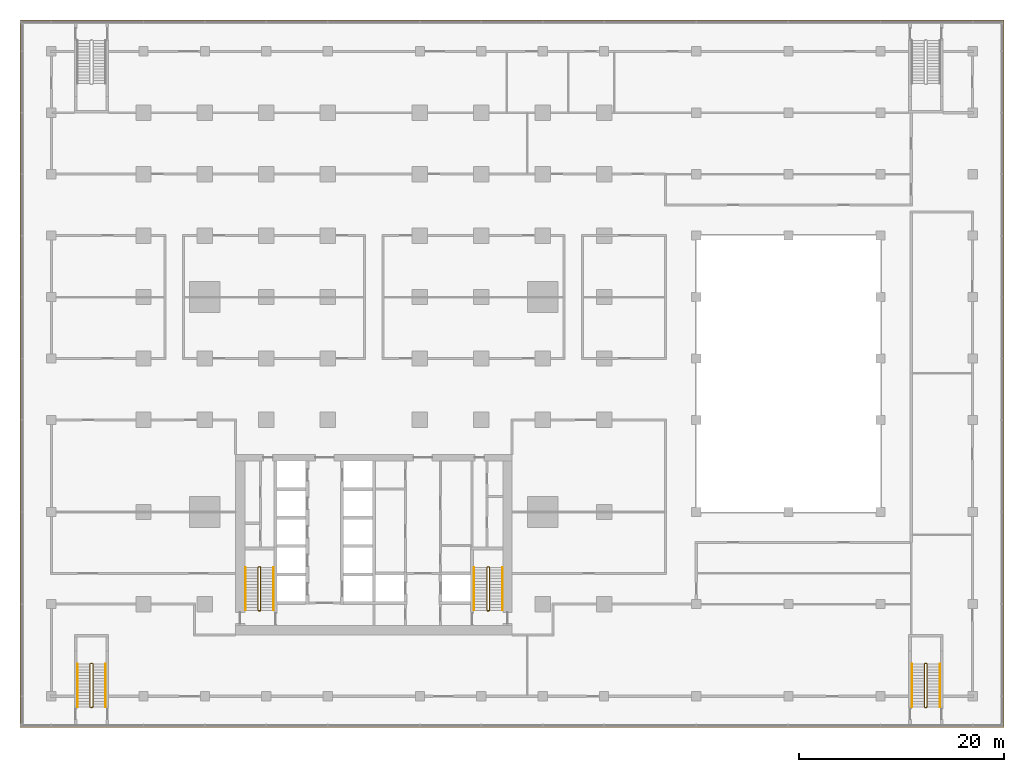
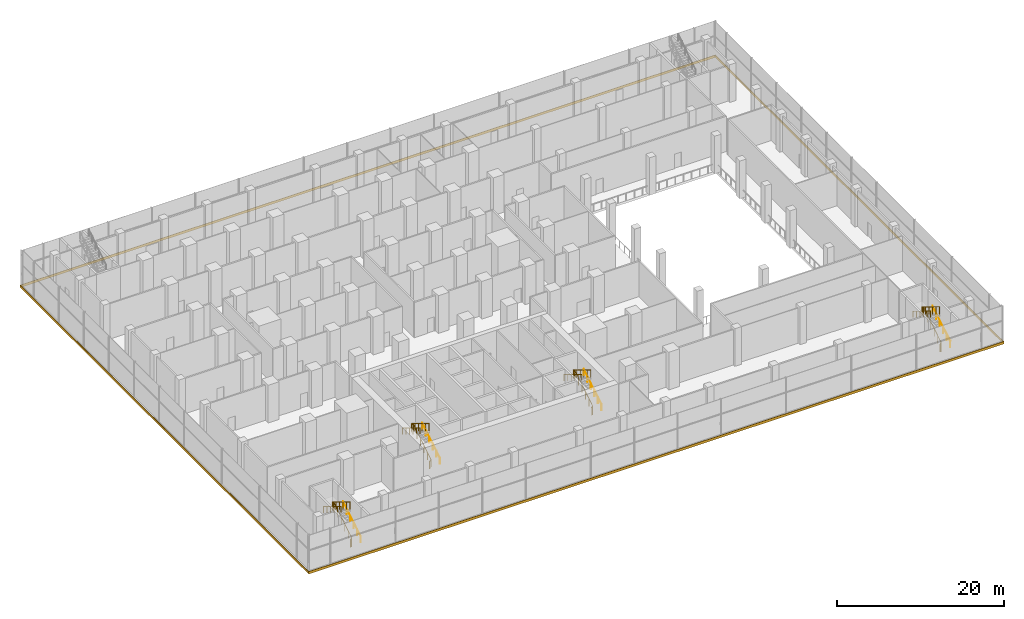
# One storey, part 21 of 22: 12 railings, 1 covering.
"""IFC4 building model written with IfcOpenShell, lengths in metres."""

from ifc_helpers import new_model, si_unit, direction, frame, origin, origin_2d, place, context, subcontext, project, spatial, polyline, circle, outline, extrude, material, layer, layer_set, type_object, element, save


model = new_model("IFC4")

# Units and contexts
model_context = context("Model", 3, precision=1e-05, world=origin(), true_north=direction((0.0, 1.0)))
body_context = subcontext(model_context, "Body", "Model", "MODEL_VIEW")
ifc_project = project(units=[si_unit("LENGTHUNIT", "METRE"), si_unit("AREAUNIT", "SQUARE_METRE"), si_unit("VOLUMEUNIT", "CUBIC_METRE"), si_unit("PLANEANGLEUNIT", "RADIAN"), si_unit("MASSUNIT", "GRAM", prefix="KILO")], contexts=[model_context])

# Site, building, storey
site_placement = place(None, origin())
site = spatial("IfcSite", under=ifc_project, at=site_placement, CompositionType="ELEMENT")
building_placement = place(site_placement, origin())
building = spatial("IfcBuilding", under=site, at=building_placement, Name="Finial Court Residences", CompositionType="ELEMENT")
storey_placement = place(building_placement, frame((0.0, 0.0, 8.0)))
storey = spatial("IfcBuildingStorey", under=building, at=storey_placement, Name="L01", CompositionType="ELEMENT", Elevation=8.0)

# Covering
ifc_material_1 = material(Name="Pale limestone", Category="masonry")
ifc_layer = layer(ifc_material_1, 0.06005859375)
ifc_layer_set = layer_set([ifc_layer], Name="Pale limestone slab-edge band 60")
covering_type = type_object("IfcCoveringType", Name="Pale limestone slab-edge band 60", PredefinedType="CLADDING", material=ifc_layer_set)
covering_placement = place(storey_placement, frame((0.0, 0.0, -0.35009765625)))
element("IfcCovering", 1, at=covering_placement, inside=storey, type_object=covering_type, Name="E-L01-BAND1", PredefinedType="CLADDING", context=body_context, shape_type="SweptSolid", body=[
    extrude(outline(polyline([(-34.56005859375, 34.56005859375), (61.56005859375, 34.56005859375), (61.56005859375, -34.56005859375), (-34.56005859375, -34.56005859375), (-34.56005859375, 34.56005859375)]), holes=[polyline([(61.5, -34.5), (61.5, 34.5), (-34.5, 34.5), (-34.5, -34.5), (61.5, -34.5)])]), origin(), (0.0, 0.0, 1.0), 0.35009765625),
])

# Railings
ifc_material_2 = material(Name="Stainless steel railing", Category="steel")
railing_type_1 = type_object("IfcRailingType", Name="Stair guard 1100", PredefinedType="GUARDRAIL", material=ifc_material_2)
railing_1_placement = place(storey_placement, frame((-11.10009765625, -23.14990234375, 0.0)))
element("IfcRailing", 2, at=railing_1_placement, inside=storey, type_object=railing_type_1, Name="L01 ST-1 stair guard 1", PredefinedType="GUARDRAIL", context=body_context, shape_type="SweptSolid", body=[
    extrude(circle(Radius=0.02392578125, at=origin_2d()), frame((0.0, 0.0, 1.076171875), z_axis=(-1.0, 0.0, 0.0), x_axis=(0.0, -1.0, 0.0)), (0.0, 0.0, 1.0), 0.14990234375),
    extrude(circle(Radius=0.02392578125, at=origin_2d()), frame((-0.14990234375, 0.0, 1.076171875), z_axis=(0.745163704225, 0.185608541712, 0.640531438064), x_axis=(-0.241699205484, 0.970351222016, 0.0)), (0.0, 0.0, 1.0), 0.268310546875),
    extrude(circle(Radius=0.02392578125, at=origin_2d()), frame((0.050048828125, 0.0498046875, 1.248046875), z_axis=(0.0, 0.852256472501, 0.523124177495), x_axis=(-1.0, 0.0, 0.0)), (0.0, 0.0, 1.0), 4.92822265625),
    extrude(circle(Radius=0.02392578125, at=origin_2d()), frame((0.050048828125, 4.25, 3.826171875), z_axis=(-0.708833529934, 0.705375805398, 0.0), x_axis=(-0.705375805398, -0.708833529934, 0.0)), (0.0, 0.0, 1.0), 0.070556640625),
    extrude(circle(Radius=0.02392578125, at=origin_2d()), frame((0.0, 4.2998046875, 3.826171875), z_axis=(-1.0, 0.0, 0.0), x_axis=(0.0, -1.0, 0.0)), (0.0, 0.0, 1.0), 0.14990234375),
    extrude(circle(Radius=0.02392578125, at=origin_2d()), frame((-0.14990234375, 4.2998046875, 3.826171875), z_axis=(-0.26935076646, -0.268036860282, 0.924989949209), x_axis=(0.705375805398, -0.708833529934, 0.0)), (0.0, 0.0, 1.0), 0.185791015625),
    extrude(circle(Radius=0.02392578125, at=origin_2d()), frame((-0.199951171875, 4.25, 3.998046875), z_axis=(0.0, -0.852256472501, 0.523124177495), x_axis=(1.0, 0.0, 0.0)), (0.0, 0.0, 1.0), 4.92822265625),
    extrude(circle(Radius=0.02099609375, at=origin_2d()), origin(), (0.0, 0.0, 1.0), 1.052001953125),
    extrude(circle(Radius=0.02099609375, at=origin_2d()), frame((-0.14990234375, 0.0, 0.0)), (0.0, 0.0, 1.0), 1.052001953125),
    extrude(circle(Radius=0.02099609375, at=origin_2d()), frame((0.050048828125, 0.0498046875, 0.171875)), (0.0, 0.0, 1.0), 1.052001953125),
    extrude(circle(Radius=0.02099609375, at=origin_2d()), frame((0.050048828125, 0.889892578125, 0.6875)), (0.0, 0.0, 1.0), 1.052001953125),
    extrude(circle(Radius=0.02099609375, at=origin_2d()), frame((0.050048828125, 1.72998046875, 1.203125)), (0.0, 0.0, 1.0), 1.052001953125),
    extrude(circle(Radius=0.02099609375, at=origin_2d()), frame((0.050048828125, 2.56982421875, 1.71875)), (0.0, 0.0, 1.0), 1.052001953125),
    extrude(circle(Radius=0.02099609375, at=origin_2d()), frame((0.050048828125, 3.409912109375, 2.234375)), (0.0, 0.0, 1.0), 1.052001953125),
    extrude(circle(Radius=0.02099609375, at=origin_2d()), frame((0.050048828125, 4.25, 2.75)), (0.0, 0.0, 1.0), 1.052001953125),
    extrude(circle(Radius=0.02099609375, at=origin_2d()), frame((0.0, 4.2998046875, 2.75)), (0.0, 0.0, 1.0), 1.052001953125),
    extrude(circle(Radius=0.02099609375, at=origin_2d()), frame((-0.14990234375, 4.2998046875, 2.75)), (0.0, 0.0, 1.0), 1.052001953125),
    extrude(circle(Radius=0.02099609375, at=origin_2d()), frame((-0.199951171875, 4.25, 2.921875)), (0.0, 0.0, 1.0), 1.052001953125),
    extrude(circle(Radius=0.02099609375, at=origin_2d()), frame((-0.199951171875, 3.409912109375, 3.4375)), (0.0, 0.0, 1.0), 1.052001953125),
    extrude(circle(Radius=0.02099609375, at=origin_2d()), frame((-0.199951171875, 2.56982421875, 3.953125)), (0.0, 0.0, 1.0), 1.052001953125),
    extrude(circle(Radius=0.02099609375, at=origin_2d()), frame((-0.199951171875, 1.72998046875, 4.46875)), (0.0, 0.0, 1.0), 1.052001953125),
    extrude(circle(Radius=0.02099609375, at=origin_2d()), frame((-0.199951171875, 0.889892578125, 4.984375)), (0.0, 0.0, 1.0), 1.052001953125),
    extrude(circle(Radius=0.02099609375, at=origin_2d()), frame((-0.199951171875, 0.0498046875, 5.5)), (0.0, 0.0, 1.0), 1.052001953125),
])
railing_2_placement = place(storey_placement, frame((11.25, -23.14990234375, 0.0)))
element("IfcRailing", 3, at=railing_2_placement, inside=storey, type_object=railing_type_1, Name="L01 ST-2 stair guard 1", PredefinedType="GUARDRAIL", context=body_context, shape_type="SweptSolid", body=[
    extrude(circle(Radius=0.02392578125, at=origin_2d()), frame((0.0, 0.0, 1.076171875), z_axis=(-1.0, 0.0, 0.0), x_axis=(0.0, -1.0, 0.0)), (0.0, 0.0, 1.0), 0.14990234375),
    extrude(circle(Radius=0.02392578125, at=origin_2d()), frame((-0.14990234375, 0.0, 1.076171875), z_axis=(0.745163704225, 0.185608541712, 0.640531438064), x_axis=(-0.241699205484, 0.970351222016, 0.0)), (0.0, 0.0, 1.0), 0.268310546875),
    extrude(circle(Radius=0.02392578125, at=origin_2d()), frame((0.050048828125, 0.0498046875, 1.248046875), z_axis=(0.0, 0.852256472501, 0.523124177495), x_axis=(-1.0, 0.0, 0.0)), (0.0, 0.0, 1.0), 4.92822265625),
    extrude(circle(Radius=0.02392578125, at=origin_2d()), frame((0.050048828125, 4.25, 3.826171875), z_axis=(-0.708833529934, 0.705375805398, 0.0), x_axis=(-0.705375805398, -0.708833529934, 0.0)), (0.0, 0.0, 1.0), 0.070556640625),
    extrude(circle(Radius=0.02392578125, at=origin_2d()), frame((0.0, 4.2998046875, 3.826171875), z_axis=(-1.0, 0.0, 0.0), x_axis=(0.0, -1.0, 0.0)), (0.0, 0.0, 1.0), 0.14990234375),
    extrude(circle(Radius=0.02392578125, at=origin_2d()), frame((-0.14990234375, 4.2998046875, 3.826171875), z_axis=(-0.26935076646, -0.268036860282, 0.924989949209), x_axis=(0.705375805398, -0.708833529934, 0.0)), (0.0, 0.0, 1.0), 0.185791015625),
    extrude(circle(Radius=0.02392578125, at=origin_2d()), frame((-0.199951171875, 4.25, 3.998046875), z_axis=(0.0, -0.852256472501, 0.523124177495), x_axis=(1.0, 0.0, 0.0)), (0.0, 0.0, 1.0), 4.92822265625),
    extrude(circle(Radius=0.02099609375, at=origin_2d()), origin(), (0.0, 0.0, 1.0), 1.052001953125),
    extrude(circle(Radius=0.02099609375, at=origin_2d()), frame((-0.14990234375, 0.0, 0.0)), (0.0, 0.0, 1.0), 1.052001953125),
    extrude(circle(Radius=0.02099609375, at=origin_2d()), frame((0.050048828125, 0.0498046875, 0.171875)), (0.0, 0.0, 1.0), 1.052001953125),
    extrude(circle(Radius=0.02099609375, at=origin_2d()), frame((0.050048828125, 0.889892578125, 0.6875)), (0.0, 0.0, 1.0), 1.052001953125),
    extrude(circle(Radius=0.02099609375, at=origin_2d()), frame((0.050048828125, 1.72998046875, 1.203125)), (0.0, 0.0, 1.0), 1.052001953125),
    extrude(circle(Radius=0.02099609375, at=origin_2d()), frame((0.050048828125, 2.56982421875, 1.71875)), (0.0, 0.0, 1.0), 1.052001953125),
    extrude(circle(Radius=0.02099609375, at=origin_2d()), frame((0.050048828125, 3.409912109375, 2.234375)), (0.0, 0.0, 1.0), 1.052001953125),
    extrude(circle(Radius=0.02099609375, at=origin_2d()), frame((0.050048828125, 4.25, 2.75)), (0.0, 0.0, 1.0), 1.052001953125),
    extrude(circle(Radius=0.02099609375, at=origin_2d()), frame((0.0, 4.2998046875, 2.75)), (0.0, 0.0, 1.0), 1.052001953125),
    extrude(circle(Radius=0.02099609375, at=origin_2d()), frame((-0.14990234375, 4.2998046875, 2.75)), (0.0, 0.0, 1.0), 1.052001953125),
    extrude(circle(Radius=0.02099609375, at=origin_2d()), frame((-0.199951171875, 4.25, 2.921875)), (0.0, 0.0, 1.0), 1.052001953125),
    extrude(circle(Radius=0.02099609375, at=origin_2d()), frame((-0.199951171875, 3.409912109375, 3.4375)), (0.0, 0.0, 1.0), 1.052001953125),
    extrude(circle(Radius=0.02099609375, at=origin_2d()), frame((-0.199951171875, 2.56982421875, 3.953125)), (0.0, 0.0, 1.0), 1.052001953125),
    extrude(circle(Radius=0.02099609375, at=origin_2d()), frame((-0.199951171875, 1.72998046875, 4.46875)), (0.0, 0.0, 1.0), 1.052001953125),
    extrude(circle(Radius=0.02099609375, at=origin_2d()), frame((-0.199951171875, 0.889892578125, 4.984375)), (0.0, 0.0, 1.0), 1.052001953125),
    extrude(circle(Radius=0.02099609375, at=origin_2d()), frame((-0.199951171875, 0.0498046875, 5.5)), (0.0, 0.0, 1.0), 1.052001953125),
])
railing_3_placement = place(storey_placement, frame((54.0, -32.60009765625, 0.0)))
element("IfcRailing", 4, at=railing_3_placement, inside=storey, type_object=railing_type_1, Name="L01 ST-3 stair guard 1", PredefinedType="GUARDRAIL", context=body_context, shape_type="SweptSolid", body=[
    extrude(circle(Radius=0.02392578125, at=origin_2d()), frame((0.0, 0.0, 1.076171875), z_axis=(-1.0, 0.0, 0.0), x_axis=(0.0, -1.0, 0.0)), (0.0, 0.0, 1.0), 0.14990234375),
    extrude(circle(Radius=0.02392578125, at=origin_2d()), frame((-0.14990234375, 0.0, 1.076171875), z_axis=(0.745037588186, 0.186486819998, 0.640423030626), x_axis=(-0.242814311512, 0.970072785993, 0.0)), (0.0, 0.0, 1.0), 0.268310546875),
    extrude(circle(Radius=0.02392578125, at=origin_2d()), frame((0.050048828125, 0.050048828125, 1.248046875), z_axis=(0.0, 0.852242915053, 0.523146264196), x_axis=(-1.0, 0.0, 0.0)), (0.0, 0.0, 1.0), 4.92822265625),
    extrude(circle(Radius=0.02392578125, at=origin_2d()), frame((0.050048828125, 4.25, 3.826171875), z_axis=(-0.707106781187, 0.707106781187, 0.0), x_axis=(-0.707106781187, -0.707106781187, 0.0)), (0.0, 0.0, 1.0), 0.07080078125),
    extrude(circle(Radius=0.02392578125, at=origin_2d()), frame((0.0, 4.300048828125, 3.826171875), z_axis=(-1.0, 0.0, 0.0), x_axis=(0.0, -1.0, 0.0)), (0.0, 0.0, 1.0), 0.14990234375),
    extrude(circle(Radius=0.02392578125, at=origin_2d()), frame((-0.14990234375, 4.300048828125, 3.826171875), z_axis=(-0.269255725606, -0.269255725606, 0.92466356501), x_axis=(0.707106781187, -0.707106781187, 0.0)), (0.0, 0.0, 1.0), 0.185791015625),
    extrude(circle(Radius=0.02392578125, at=origin_2d()), frame((-0.199951171875, 4.25, 3.998046875), z_axis=(0.0, -0.852242915053, 0.523146264196), x_axis=(1.0, 0.0, 0.0)), (0.0, 0.0, 1.0), 4.92822265625),
    extrude(circle(Radius=0.02099609375, at=origin_2d()), origin(), (0.0, 0.0, 1.0), 1.052001953125),
    extrude(circle(Radius=0.02099609375, at=origin_2d()), frame((-0.14990234375, 0.0, 0.0)), (0.0, 0.0, 1.0), 1.052001953125),
    extrude(circle(Radius=0.02099609375, at=origin_2d()), frame((0.050048828125, 0.050048828125, 0.171875)), (0.0, 0.0, 1.0), 1.052001953125),
    extrude(circle(Radius=0.02099609375, at=origin_2d()), frame((0.050048828125, 0.89013671875, 0.6875)), (0.0, 0.0, 1.0), 1.052001953125),
    extrude(circle(Radius=0.02099609375, at=origin_2d()), frame((0.050048828125, 1.72998046875, 1.203125)), (0.0, 0.0, 1.0), 1.052001953125),
    extrude(circle(Radius=0.02099609375, at=origin_2d()), frame((0.050048828125, 2.570068359375, 1.71875)), (0.0, 0.0, 1.0), 1.052001953125),
    extrude(circle(Radius=0.02099609375, at=origin_2d()), frame((0.050048828125, 3.409912109375, 2.234375)), (0.0, 0.0, 1.0), 1.052001953125),
    extrude(circle(Radius=0.02099609375, at=origin_2d()), frame((0.050048828125, 4.25, 2.75)), (0.0, 0.0, 1.0), 1.052001953125),
    extrude(circle(Radius=0.02099609375, at=origin_2d()), frame((0.0, 4.300048828125, 2.75)), (0.0, 0.0, 1.0), 1.052001953125),
    extrude(circle(Radius=0.02099609375, at=origin_2d()), frame((-0.14990234375, 4.300048828125, 2.75)), (0.0, 0.0, 1.0), 1.052001953125),
    extrude(circle(Radius=0.02099609375, at=origin_2d()), frame((-0.199951171875, 4.25, 2.921875)), (0.0, 0.0, 1.0), 1.052001953125),
    extrude(circle(Radius=0.02099609375, at=origin_2d()), frame((-0.199951171875, 3.409912109375, 3.4375)), (0.0, 0.0, 1.0), 1.052001953125),
    extrude(circle(Radius=0.02099609375, at=origin_2d()), frame((-0.199951171875, 2.570068359375, 3.953125)), (0.0, 0.0, 1.0), 1.052001953125),
    extrude(circle(Radius=0.02099609375, at=origin_2d()), frame((-0.199951171875, 1.72998046875, 4.46875)), (0.0, 0.0, 1.0), 1.052001953125),
    extrude(circle(Radius=0.02099609375, at=origin_2d()), frame((-0.199951171875, 0.89013671875, 4.984375)), (0.0, 0.0, 1.0), 1.052001953125),
    extrude(circle(Radius=0.02099609375, at=origin_2d()), frame((-0.199951171875, 0.050048828125, 5.5)), (0.0, 0.0, 1.0), 1.052001953125),
])
railing_4_placement = place(storey_placement, frame((-27.5, -32.60009765625, 0.0)))
element("IfcRailing", 5, at=railing_4_placement, inside=storey, type_object=railing_type_1, Name="L01 ST-4 stair guard 1", PredefinedType="GUARDRAIL", context=body_context, shape_type="SweptSolid", body=[
    extrude(circle(Radius=0.02392578125, at=origin_2d()), frame((0.0, 0.0, 1.076171875), z_axis=(-1.0, 0.0, 0.0), x_axis=(0.0, -1.0, 0.0)), (0.0, 0.0, 1.0), 0.14990234375),
    extrude(circle(Radius=0.02392578125, at=origin_2d()), frame((-0.14990234375, 0.0, 1.076171875), z_axis=(0.745037588186, 0.186486819998, 0.640423030626), x_axis=(-0.242814311512, 0.970072785993, 0.0)), (0.0, 0.0, 1.0), 0.268310546875),
    extrude(circle(Radius=0.02392578125, at=origin_2d()), frame((0.050048828125, 0.050048828125, 1.248046875), z_axis=(0.0, 0.852242915053, 0.523146264196), x_axis=(-1.0, 0.0, 0.0)), (0.0, 0.0, 1.0), 4.92822265625),
    extrude(circle(Radius=0.02392578125, at=origin_2d()), frame((0.050048828125, 4.25, 3.826171875), z_axis=(-0.707106781187, 0.707106781187, 0.0), x_axis=(-0.707106781187, -0.707106781187, 0.0)), (0.0, 0.0, 1.0), 0.07080078125),
    extrude(circle(Radius=0.02392578125, at=origin_2d()), frame((0.0, 4.300048828125, 3.826171875), z_axis=(-1.0, 0.0, 0.0), x_axis=(0.0, -1.0, 0.0)), (0.0, 0.0, 1.0), 0.14990234375),
    extrude(circle(Radius=0.02392578125, at=origin_2d()), frame((-0.14990234375, 4.300048828125, 3.826171875), z_axis=(-0.269255725606, -0.269255725606, 0.92466356501), x_axis=(0.707106781187, -0.707106781187, 0.0)), (0.0, 0.0, 1.0), 0.185791015625),
    extrude(circle(Radius=0.02392578125, at=origin_2d()), frame((-0.199951171875, 4.25, 3.998046875), z_axis=(0.0, -0.852242915053, 0.523146264196), x_axis=(1.0, 0.0, 0.0)), (0.0, 0.0, 1.0), 4.92822265625),
    extrude(circle(Radius=0.02099609375, at=origin_2d()), origin(), (0.0, 0.0, 1.0), 1.052001953125),
    extrude(circle(Radius=0.02099609375, at=origin_2d()), frame((-0.14990234375, 0.0, 0.0)), (0.0, 0.0, 1.0), 1.052001953125),
    extrude(circle(Radius=0.02099609375, at=origin_2d()), frame((0.050048828125, 0.050048828125, 0.171875)), (0.0, 0.0, 1.0), 1.052001953125),
    extrude(circle(Radius=0.02099609375, at=origin_2d()), frame((0.050048828125, 0.89013671875, 0.6875)), (0.0, 0.0, 1.0), 1.052001953125),
    extrude(circle(Radius=0.02099609375, at=origin_2d()), frame((0.050048828125, 1.72998046875, 1.203125)), (0.0, 0.0, 1.0), 1.052001953125),
    extrude(circle(Radius=0.02099609375, at=origin_2d()), frame((0.050048828125, 2.570068359375, 1.71875)), (0.0, 0.0, 1.0), 1.052001953125),
    extrude(circle(Radius=0.02099609375, at=origin_2d()), frame((0.050048828125, 3.409912109375, 2.234375)), (0.0, 0.0, 1.0), 1.052001953125),
    extrude(circle(Radius=0.02099609375, at=origin_2d()), frame((0.050048828125, 4.25, 2.75)), (0.0, 0.0, 1.0), 1.052001953125),
    extrude(circle(Radius=0.02099609375, at=origin_2d()), frame((0.0, 4.300048828125, 2.75)), (0.0, 0.0, 1.0), 1.052001953125),
    extrude(circle(Radius=0.02099609375, at=origin_2d()), frame((-0.14990234375, 4.300048828125, 2.75)), (0.0, 0.0, 1.0), 1.052001953125),
    extrude(circle(Radius=0.02099609375, at=origin_2d()), frame((-0.199951171875, 4.25, 2.921875)), (0.0, 0.0, 1.0), 1.052001953125),
    extrude(circle(Radius=0.02099609375, at=origin_2d()), frame((-0.199951171875, 3.409912109375, 3.4375)), (0.0, 0.0, 1.0), 1.052001953125),
    extrude(circle(Radius=0.02099609375, at=origin_2d()), frame((-0.199951171875, 2.570068359375, 3.953125)), (0.0, 0.0, 1.0), 1.052001953125),
    extrude(circle(Radius=0.02099609375, at=origin_2d()), frame((-0.199951171875, 1.72998046875, 4.46875)), (0.0, 0.0, 1.0), 1.052001953125),
    extrude(circle(Radius=0.02099609375, at=origin_2d()), frame((-0.199951171875, 0.89013671875, 4.984375)), (0.0, 0.0, 1.0), 1.052001953125),
    extrude(circle(Radius=0.02099609375, at=origin_2d()), frame((-0.199951171875, 0.050048828125, 5.5)), (0.0, 0.0, 1.0), 1.052001953125),
])
railing_type_2 = type_object("IfcRailingType", Name="Stair handrail 900", PredefinedType="HANDRAIL", material=ifc_material_2)
railing_5_placement = place(storey_placement, frame((-9.800048828125, -23.10009765625, 0.171875)))
element("IfcRailing", 6, at=railing_5_placement, inside=storey, type_object=railing_type_2, Name="L01 ST-1 stair handrail 1", PredefinedType="HANDRAIL", context=body_context, shape_type="SweptSolid", body=[
    extrude(circle(Radius=0.02392578125, at=origin_2d()), frame((0.0, 0.0, 0.8759765625), z_axis=(0.0, 0.852256472501, 0.523124177495), x_axis=(-1.0, 0.0, 0.0)), (0.0, 0.0, 1.0), 4.92822265625),
    extrude(circle(Radius=0.02099609375, at=origin_2d()), origin(), (0.0, 0.0, 1.0), 0.851806640625),
    extrude(circle(Radius=0.02099609375, at=origin_2d()), frame((0.0, 0.840087890625, 0.515625)), (0.0, 0.0, 1.0), 0.851806640625),
    extrude(circle(Radius=0.02099609375, at=origin_2d()), frame((0.0, 1.68017578125, 1.03125)), (0.0, 0.0, 1.0), 0.851806640625),
    extrude(circle(Radius=0.02099609375, at=origin_2d()), frame((0.0, 2.52001953125, 1.546875)), (0.0, 0.0, 1.0), 0.851806640625),
    extrude(circle(Radius=0.02099609375, at=origin_2d()), frame((0.0, 3.360107421875, 2.0625)), (0.0, 0.0, 1.0), 0.851806640625),
    extrude(circle(Radius=0.02099609375, at=origin_2d()), frame((0.0, 4.2001953125, 2.578125)), (0.0, 0.0, 1.0), 0.851806640625),
])
railing_6_placement = place(storey_placement, frame((-12.550048828125, -18.89990234375, 2.921875)))
element("IfcRailing", 7, at=railing_6_placement, inside=storey, type_object=railing_type_2, Name="L01 ST-1 stair handrail 2", PredefinedType="HANDRAIL", context=body_context, shape_type="SweptSolid", body=[
    extrude(circle(Radius=0.02392578125, at=origin_2d()), frame((0.0, 0.0, 0.8759765625), z_axis=(0.0, -0.852256472501, 0.523124177495), x_axis=(1.0, 0.0, 0.0)), (0.0, 0.0, 1.0), 4.92822265625),
    extrude(circle(Radius=0.02099609375, at=origin_2d()), origin(), (0.0, 0.0, 1.0), 0.851806640625),
    extrude(circle(Radius=0.02099609375, at=origin_2d()), frame((0.0, -0.840087890625, 0.515625)), (0.0, 0.0, 1.0), 0.851806640625),
    extrude(circle(Radius=0.02099609375, at=origin_2d()), frame((0.0, -1.68017578125, 1.03125)), (0.0, 0.0, 1.0), 0.851806640625),
    extrude(circle(Radius=0.02099609375, at=origin_2d()), frame((0.0, -2.52001953125, 1.546875)), (0.0, 0.0, 1.0), 0.851806640625),
    extrude(circle(Radius=0.02099609375, at=origin_2d()), frame((0.0, -3.360107421875, 2.0625)), (0.0, 0.0, 1.0), 0.851806640625),
    extrude(circle(Radius=0.02099609375, at=origin_2d()), frame((0.0, -4.2001953125, 2.578125)), (0.0, 0.0, 1.0), 0.851806640625),
])
railing_7_placement = place(storey_placement, frame((12.550048828125, -23.10009765625, 0.171875)))
element("IfcRailing", 8, at=railing_7_placement, inside=storey, type_object=railing_type_2, Name="L01 ST-2 stair handrail 1", PredefinedType="HANDRAIL", context=body_context, shape_type="SweptSolid", body=[
    extrude(circle(Radius=0.02392578125, at=origin_2d()), frame((0.0, 0.0, 0.8759765625), z_axis=(0.0, 0.852256472501, 0.523124177495), x_axis=(-1.0, 0.0, 0.0)), (0.0, 0.0, 1.0), 4.92822265625),
    extrude(circle(Radius=0.02099609375, at=origin_2d()), origin(), (0.0, 0.0, 1.0), 0.851806640625),
    extrude(circle(Radius=0.02099609375, at=origin_2d()), frame((0.0, 0.840087890625, 0.515625)), (0.0, 0.0, 1.0), 0.851806640625),
    extrude(circle(Radius=0.02099609375, at=origin_2d()), frame((0.0, 1.68017578125, 1.03125)), (0.0, 0.0, 1.0), 0.851806640625),
    extrude(circle(Radius=0.02099609375, at=origin_2d()), frame((0.0, 2.52001953125, 1.546875)), (0.0, 0.0, 1.0), 0.851806640625),
    extrude(circle(Radius=0.02099609375, at=origin_2d()), frame((0.0, 3.360107421875, 2.0625)), (0.0, 0.0, 1.0), 0.851806640625),
    extrude(circle(Radius=0.02099609375, at=origin_2d()), frame((0.0, 4.2001953125, 2.578125)), (0.0, 0.0, 1.0), 0.851806640625),
])
railing_8_placement = place(storey_placement, frame((9.800048828125, -18.89990234375, 2.921875)))
element("IfcRailing", 9, at=railing_8_placement, inside=storey, type_object=railing_type_2, Name="L01 ST-2 stair handrail 2", PredefinedType="HANDRAIL", context=body_context, shape_type="SweptSolid", body=[
    extrude(circle(Radius=0.02392578125, at=origin_2d()), frame((0.0, 0.0, 0.8759765625), z_axis=(0.0, -0.852256472501, 0.523124177495), x_axis=(1.0, 0.0, 0.0)), (0.0, 0.0, 1.0), 4.92822265625),
    extrude(circle(Radius=0.02099609375, at=origin_2d()), origin(), (0.0, 0.0, 1.0), 0.851806640625),
    extrude(circle(Radius=0.02099609375, at=origin_2d()), frame((0.0, -0.840087890625, 0.515625)), (0.0, 0.0, 1.0), 0.851806640625),
    extrude(circle(Radius=0.02099609375, at=origin_2d()), frame((0.0, -1.68017578125, 1.03125)), (0.0, 0.0, 1.0), 0.851806640625),
    extrude(circle(Radius=0.02099609375, at=origin_2d()), frame((0.0, -2.52001953125, 1.546875)), (0.0, 0.0, 1.0), 0.851806640625),
    extrude(circle(Radius=0.02099609375, at=origin_2d()), frame((0.0, -3.360107421875, 2.0625)), (0.0, 0.0, 1.0), 0.851806640625),
    extrude(circle(Radius=0.02099609375, at=origin_2d()), frame((0.0, -4.2001953125, 2.578125)), (0.0, 0.0, 1.0), 0.851806640625),
])
railing_9_placement = place(storey_placement, frame((55.300048828125, -32.550048828125, 0.171875)))
element("IfcRailing", 10, at=railing_9_placement, inside=storey, type_object=railing_type_2, Name="L01 ST-3 stair handrail 1", PredefinedType="HANDRAIL", context=body_context, shape_type="SweptSolid", body=[
    extrude(circle(Radius=0.02392578125, at=origin_2d()), frame((0.0, 0.0, 0.8759765625), z_axis=(0.0, 0.852242915053, 0.523146264196), x_axis=(-1.0, 0.0, 0.0)), (0.0, 0.0, 1.0), 4.92822265625),
    extrude(circle(Radius=0.02099609375, at=origin_2d()), origin(), (0.0, 0.0, 1.0), 0.851806640625),
    extrude(circle(Radius=0.02099609375, at=origin_2d()), frame((0.0, 0.840087890625, 0.515625)), (0.0, 0.0, 1.0), 0.851806640625),
    extrude(circle(Radius=0.02099609375, at=origin_2d()), frame((0.0, 1.679931640625, 1.03125)), (0.0, 0.0, 1.0), 0.851806640625),
    extrude(circle(Radius=0.02099609375, at=origin_2d()), frame((0.0, 2.52001953125, 1.546875)), (0.0, 0.0, 1.0), 0.851806640625),
    extrude(circle(Radius=0.02099609375, at=origin_2d()), frame((0.0, 3.35986328125, 2.0625)), (0.0, 0.0, 1.0), 0.851806640625),
    extrude(circle(Radius=0.02099609375, at=origin_2d()), frame((0.0, 4.199951171875, 2.578125)), (0.0, 0.0, 1.0), 0.851806640625),
])
railing_10_placement = place(storey_placement, frame((52.550048828125, -28.35009765625, 2.921875)))
element("IfcRailing", 11, at=railing_10_placement, inside=storey, type_object=railing_type_2, Name="L01 ST-3 stair handrail 2", PredefinedType="HANDRAIL", context=body_context, shape_type="SweptSolid", body=[
    extrude(circle(Radius=0.02392578125, at=origin_2d()), frame((0.0, 0.0, 0.8759765625), z_axis=(0.0, -0.852242915053, 0.523146264196), x_axis=(1.0, 0.0, 0.0)), (0.0, 0.0, 1.0), 4.92822265625),
    extrude(circle(Radius=0.02099609375, at=origin_2d()), origin(), (0.0, 0.0, 1.0), 0.851806640625),
    extrude(circle(Radius=0.02099609375, at=origin_2d()), frame((0.0, -0.840087890625, 0.515625)), (0.0, 0.0, 1.0), 0.851806640625),
    extrude(circle(Radius=0.02099609375, at=origin_2d()), frame((0.0, -1.679931640625, 1.03125)), (0.0, 0.0, 1.0), 0.851806640625),
    extrude(circle(Radius=0.02099609375, at=origin_2d()), frame((0.0, -2.52001953125, 1.546875)), (0.0, 0.0, 1.0), 0.851806640625),
    extrude(circle(Radius=0.02099609375, at=origin_2d()), frame((0.0, -3.35986328125, 2.0625)), (0.0, 0.0, 1.0), 0.851806640625),
    extrude(circle(Radius=0.02099609375, at=origin_2d()), frame((0.0, -4.199951171875, 2.578125)), (0.0, 0.0, 1.0), 0.851806640625),
])
railing_11_placement = place(storey_placement, frame((-26.199951171875, -32.550048828125, 0.171875)))
element("IfcRailing", 12, at=railing_11_placement, inside=storey, type_object=railing_type_2, Name="L01 ST-4 stair handrail 1", PredefinedType="HANDRAIL", context=body_context, shape_type="SweptSolid", body=[
    extrude(circle(Radius=0.02392578125, at=origin_2d()), frame((0.0, 0.0, 0.8759765625), z_axis=(0.0, 0.852242915053, 0.523146264196), x_axis=(-1.0, 0.0, 0.0)), (0.0, 0.0, 1.0), 4.92822265625),
    extrude(circle(Radius=0.02099609375, at=origin_2d()), origin(), (0.0, 0.0, 1.0), 0.851806640625),
    extrude(circle(Radius=0.02099609375, at=origin_2d()), frame((0.0, 0.840087890625, 0.515625)), (0.0, 0.0, 1.0), 0.851806640625),
    extrude(circle(Radius=0.02099609375, at=origin_2d()), frame((0.0, 1.679931640625, 1.03125)), (0.0, 0.0, 1.0), 0.851806640625),
    extrude(circle(Radius=0.02099609375, at=origin_2d()), frame((0.0, 2.52001953125, 1.546875)), (0.0, 0.0, 1.0), 0.851806640625),
    extrude(circle(Radius=0.02099609375, at=origin_2d()), frame((0.0, 3.35986328125, 2.0625)), (0.0, 0.0, 1.0), 0.851806640625),
    extrude(circle(Radius=0.02099609375, at=origin_2d()), frame((0.0, 4.199951171875, 2.578125)), (0.0, 0.0, 1.0), 0.851806640625),
])
railing_12_placement = place(storey_placement, frame((-28.949951171875, -28.35009765625, 2.921875)))
element("IfcRailing", 13, at=railing_12_placement, inside=storey, type_object=railing_type_2, Name="L01 ST-4 stair handrail 2", PredefinedType="HANDRAIL", context=body_context, shape_type="SweptSolid", body=[
    extrude(circle(Radius=0.02392578125, at=origin_2d()), frame((0.0, 0.0, 0.8759765625), z_axis=(0.0, -0.852242915053, 0.523146264196), x_axis=(1.0, 0.0, 0.0)), (0.0, 0.0, 1.0), 4.92822265625),
    extrude(circle(Radius=0.02099609375, at=origin_2d()), origin(), (0.0, 0.0, 1.0), 0.851806640625),
    extrude(circle(Radius=0.02099609375, at=origin_2d()), frame((0.0, -0.840087890625, 0.515625)), (0.0, 0.0, 1.0), 0.851806640625),
    extrude(circle(Radius=0.02099609375, at=origin_2d()), frame((0.0, -1.679931640625, 1.03125)), (0.0, 0.0, 1.0), 0.851806640625),
    extrude(circle(Radius=0.02099609375, at=origin_2d()), frame((0.0, -2.52001953125, 1.546875)), (0.0, 0.0, 1.0), 0.851806640625),
    extrude(circle(Radius=0.02099609375, at=origin_2d()), frame((0.0, -3.35986328125, 2.0625)), (0.0, 0.0, 1.0), 0.851806640625),
    extrude(circle(Radius=0.02099609375, at=origin_2d()), frame((0.0, -4.199951171875, 2.578125)), (0.0, 0.0, 1.0), 0.851806640625),
])

save(model, "model.ifc")
